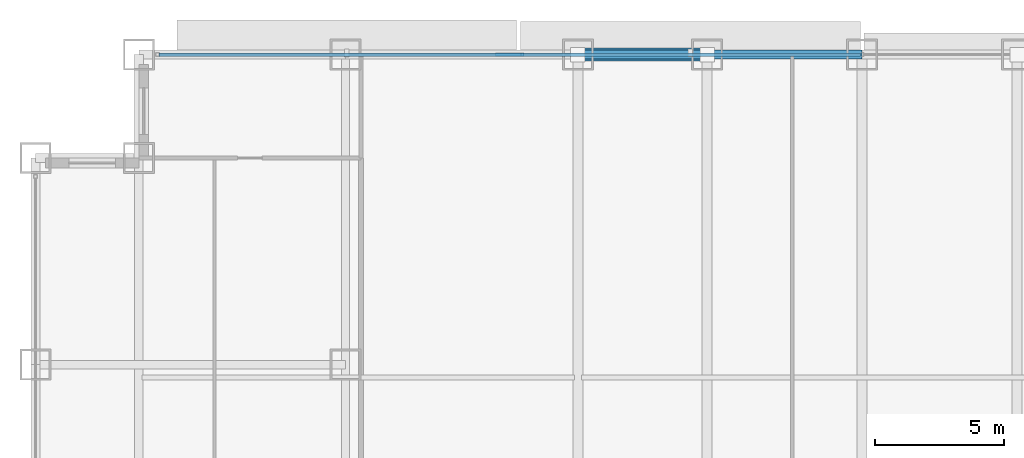
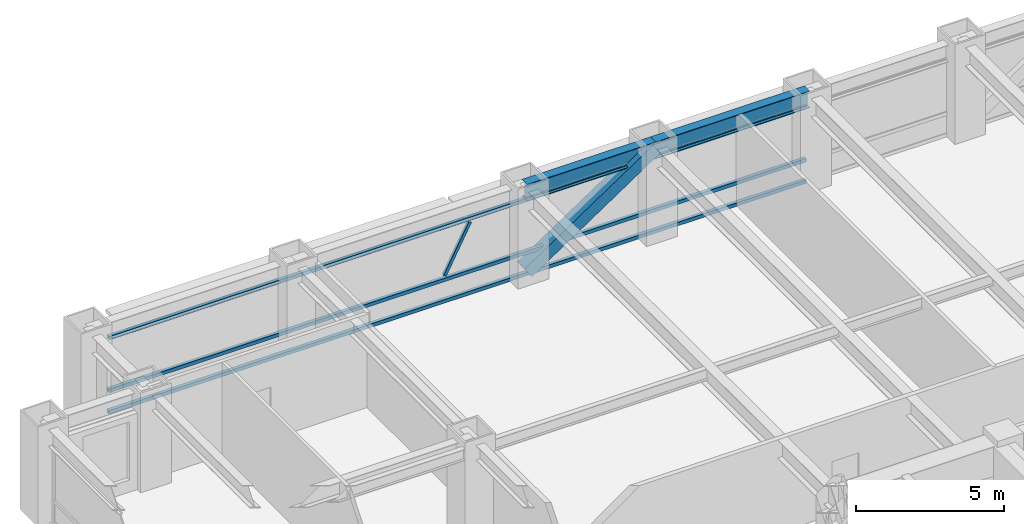
# One storey, part 18 of 32: 5 members, 2 beams, 1 element without a shape of its own.
"""IFC4 building model written with IfcOpenShell, lengths in metres."""

from ifc_helpers import new_model, si_unit, direction, frame, origin, origin_2d, place, context, subcontext, project, spatial, hollow_rectangle, i_section, extrude, source, transform, mapped, material, material_profile, profile_set, type_object, element, aggregate, save


model = new_model("IFC4")

# Units and contexts
model_context = context("Model", 3, precision=1e-05, world=origin(), true_north=direction((0.0, 1.0)))
body_context = subcontext(model_context, "Body", "Model", "MODEL_VIEW")
ifc_project = project(units=[si_unit("LENGTHUNIT", "METRE"), si_unit("AREAUNIT", "SQUARE_METRE"), si_unit("VOLUMEUNIT", "CUBIC_METRE"), si_unit("PLANEANGLEUNIT", "RADIAN"), si_unit("MASSUNIT", "GRAM", prefix="KILO")], contexts=[model_context])

# Site, building, storey
site_placement = place(None, origin())
site = spatial("IfcSite", under=ifc_project, at=site_placement, CompositionType="ELEMENT")
building_placement = place(site_placement, origin())
building = spatial("IfcBuilding", under=site, at=building_placement, Name="Khorayat Bourse Tower", CompositionType="ELEMENT")
storey_placement = place(building_placement, frame((0.0, 0.0, 136.5)))
storey = spatial("IfcBuildingStorey", under=building, at=storey_placement, Name="L31", CompositionType="ELEMENT", Elevation=136.5)

# Beams
ifc_material_1 = material(Name="Steel ASTM A992 Grade 50", Category="steel")
ifc_material_profile_1 = material_profile(ifc_material_1, i_section(OverallWidth=0.35498046875, OverallDepth=0.695068359375, WebThickness=0.015380859375, FlangeThickness=0.02490234375, FilletRadius=0.01806640625, at=origin_2d()), Name="W690X217")
ifc_profile_set_1 = profile_set([ifc_material_profile_1], Name="Steel ASTM A992 Grade 50")
beam_type = type_object("IfcBeamType", Name="BM-SPAN-690", PredefinedType="SPANDREL", material=ifc_profile_set_1)
shared_shape_1 = source(origin(), body_context, "Body", "SweptSolid", [
    extrude(i_section(OverallWidth=0.35498046875, OverallDepth=0.695068359375, WebThickness=0.015380859375, FlangeThickness=0.02490234375, FilletRadius=0.01806640625, at=origin_2d()), origin(), (0.0, 0.0, 1.0), 5.0),
])
beam_1_placement = place(storey_placement, frame((-11.0, 32.0, 3.492431640625), z_axis=(1.0, 0.0, 0.0), x_axis=(0.0, 1.0, 0.0)))
element("IfcBeam", 1, at=beam_1_placement, inside=storey, type_object=beam_type, Name="L31 BM-SPAN-690 BM-L31-SPN-049", PredefinedType="SPANDREL", context=body_context, shape_type="MappedRepresentation", body=[
    mapped(shared_shape_1, transform((0.0, 0.0, 0.0), scale=1.0)),
])
shared_shape_2 = source(origin(), body_context, "Body", "SweptSolid", [
    extrude(i_section(OverallWidth=0.35498046875, OverallDepth=0.695068359375, WebThickness=0.015380859375, FlangeThickness=0.02490234375, FilletRadius=0.01806640625, at=origin_2d()), origin(), (0.0, 0.0, 1.0), 6.0),
])
beam_2_placement = place(storey_placement, frame((-6.0, 32.0, 3.492431640625), z_axis=(1.0, 0.0, 0.0), x_axis=(0.0, 1.0, 0.0)))
element("IfcBeam", 2, at=beam_2_placement, inside=storey, type_object=beam_type, Name="L31 BM-SPAN-690 BM-L31-SPN-048", PredefinedType="SPANDREL", context=body_context, shape_type="MappedRepresentation", body=[
    mapped(shared_shape_2, transform((0.0, 0.0, 0.0), scale=1.0)),
])

# Member
ifc_material_2 = material(Name="Steel EN 10025-4 S460M", Category="steel")
ifc_material_profile_2 = material_profile(ifc_material_2, hollow_rectangle(XDim=0.5, YDim=0.5, WallThickness=0.028076171875, at=origin_2d()), Name="HSS 500x500x28")
ifc_profile_set_2 = profile_set([ifc_material_profile_2], Name="Steel EN 10025-4 S460M")
member_type_1 = type_object("IfcMemberType", Name="MBR-TUBE-500", PredefinedType="BRACE", material=ifc_profile_set_2)
shared_shape_3 = source(origin(), body_context, "Body", "SweptSolid", [
    extrude(hollow_rectangle(XDim=0.5, YDim=0.5, WallThickness=0.028076171875, at=origin_2d()), origin(), (0.0, 0.0, 1.0), 6.012939453125),
])
member_1_placement = place(storey_placement, frame((-11.0, 32.0, 0.25), z_axis=(0.831531473026, 0.0, 0.555477640745), x_axis=(0.0, 1.0, 0.0)))
element("IfcMember", 3, at=member_1_placement, inside=storey, type_object=member_type_1, Name="L31 Perimeter Tube Brace 03", PredefinedType="BRACE", context=body_context, shape_type="MappedRepresentation", body=[
    mapped(shared_shape_3, transform((0.0, 0.0, 0.0), scale=1.0)),
])

# Curtain wall, members
ifc_material_3 = material(Name="Aluminium EN AW-6063 T6", Category="aluminium")
curtain_wall_type = type_object("IfcCurtainWallType", Name="CW-SYS-02", PredefinedType="NOTDEFINED", material=ifc_material_3)
curtain_wall_placement = place(storey_placement, origin())
curtain_wall = element("IfcCurtainWall", 4, at=curtain_wall_placement, inside=storey, type_object=curtain_wall_type, Name="L31 Curtain Wall CW-L31-N1", PredefinedType="NOTDEFINED")
ifc_material_profile_3 = material_profile(ifc_material_3, hollow_rectangle(XDim=0.139892578125, YDim=0.139892578125, WallThickness=0.006103515625, at=origin_2d()), Name="ALU 140x140x6")
ifc_profile_set_3 = profile_set([ifc_material_profile_3], Name="Aluminium EN AW-6063 T6")
member_type_2 = type_object("IfcMemberType", Name="CWT-HORZ-140", PredefinedType="USERDEFINED", material=ifc_profile_set_3)
shared_shape_4 = source(origin(), body_context, "Body", "SweptSolid", [
    extrude(hollow_rectangle(XDim=0.139892578125, YDim=0.139892578125, WallThickness=0.006103515625, at=origin_2d()), origin(), (0.0, 0.0, 1.0), 27.139892578125),
])
member_2_placement = place(storey_placement, frame((-27.2099609375, 32.0, 0.070068359375), z_axis=(1.0, 0.0, 0.0), x_axis=(0.0, 1.0, 0.0)))
member_2 = element("IfcMember", 5, at=member_2_placement, type_object=member_type_2, Name="CW-L31-N1 Horizontal Transom 1-1", ObjectType="TRANSOM", PredefinedType="USERDEFINED", context=body_context, shape_type="MappedRepresentation", body=[
    mapped(shared_shape_4, transform((0.0, 0.0, 0.0), scale=1.0)),
])
member_3_placement = place(storey_placement, frame((-27.2099609375, 32.0, 0.949951171875), z_axis=(1.0, 0.0, 0.0), x_axis=(0.0, 1.0, 0.0)))
member_3 = element("IfcMember", 6, at=member_3_placement, type_object=member_type_2, Name="CW-L31-N1 Horizontal Transom 1-2", ObjectType="TRANSOM", PredefinedType="USERDEFINED", context=body_context, shape_type="MappedRepresentation", body=[
    mapped(shared_shape_4, transform((0.0, 0.0, 0.0), scale=1.0)),
])
member_4_placement = place(storey_placement, frame((-27.2099609375, 32.0, 3.1201171875), z_axis=(1.0, 0.0, 0.0), x_axis=(0.0, 1.0, 0.0)))
member_4 = element("IfcMember", 7, at=member_4_placement, type_object=member_type_2, Name="CW-L31-N1 Horizontal Transom 1-3", ObjectType="TRANSOM", PredefinedType="USERDEFINED", context=body_context, shape_type="MappedRepresentation", body=[
    mapped(shared_shape_4, transform((0.0, 0.0, 0.0), scale=1.0)),
])
ifc_material_profile_4 = material_profile(ifc_material_3, hollow_rectangle(XDim=0.1201171875, YDim=0.1201171875, WallThickness=0.0048828125, at=origin_2d()), Name="ALU 120x120x5")
ifc_profile_set_4 = profile_set([ifc_material_profile_4], Name="Aluminium EN AW-6063 T6")
member_type_3 = type_object("IfcMemberType", Name="CWM-DIAG-120", PredefinedType="MULLION", material=ifc_profile_set_4)
shared_shape_5 = source(origin(), body_context, "Body", "SweptSolid", [
    extrude(hollow_rectangle(XDim=0.1201171875, YDim=0.1201171875, WallThickness=0.0048828125, at=origin_2d()), origin(), (0.0, 0.0, 1.0), 2.113037109375),
])
member_5_placement = place(storey_placement, frame((-14.132080078125, 32.0, 1.10009765625), z_axis=(0.465741670874, 0.0, 0.884920728659), x_axis=(0.0, 1.0, 0.0)))
member_5 = element("IfcMember", 8, at=member_5_placement, type_object=member_type_3, Name="CW-L31-N1 Faceted Diagonal Mullion 1", PredefinedType="MULLION", context=body_context, shape_type="MappedRepresentation", body=[
    mapped(shared_shape_5, transform((0.0, 0.0, 0.0), scale=1.0)),
])
aggregate(curtain_wall, [member_2, member_3, member_4, member_5])

save(model, "model.ifc")
